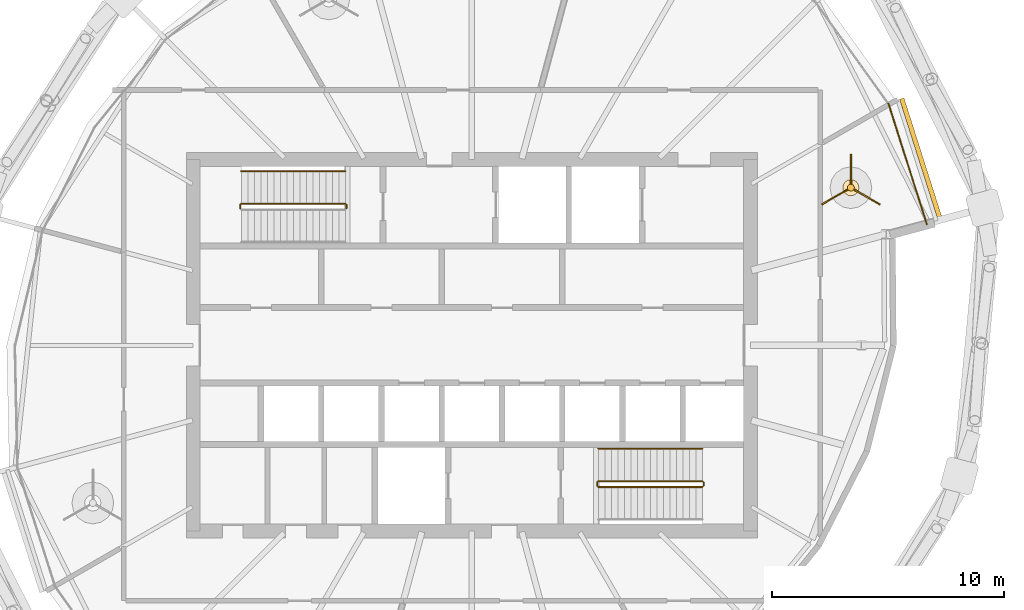
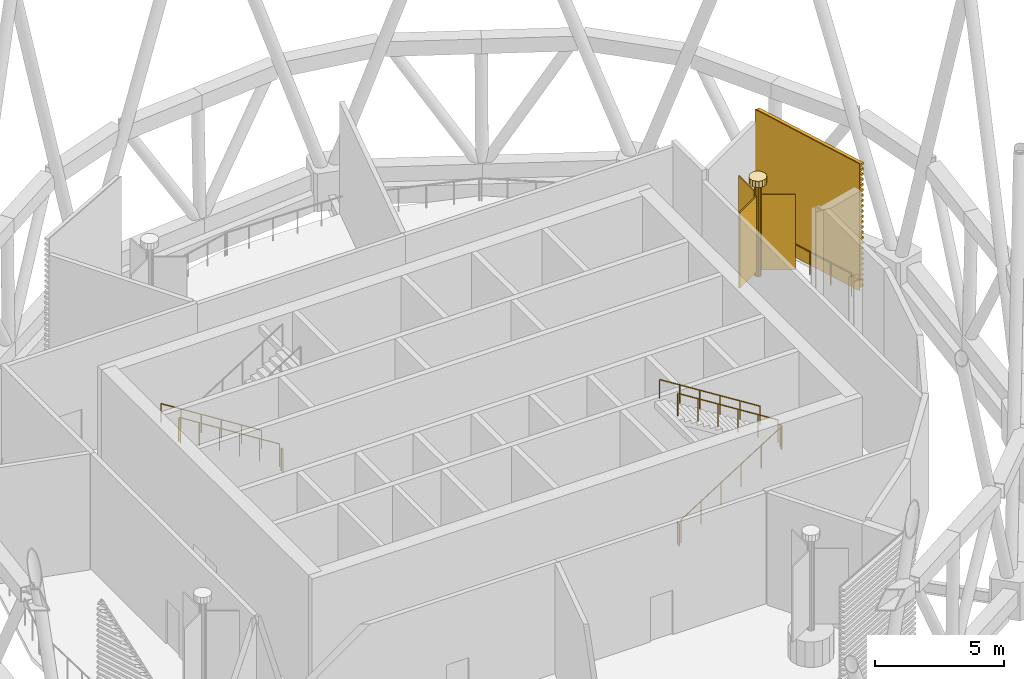
# One storey, part 20 of 22: 10 railings, 5 coverings, 1 shading device.
"""IFC4 building model written with IfcOpenShell, lengths in metres."""

from ifc_helpers import new_model, si_unit, direction, frame, origin, origin_2d, place, context, subcontext, project, spatial, polyline, circle, outline, extrude, material, material_profile, profile_set, type_object, element, save


model = new_model("IFC4")

# Units and contexts
model_context = context("Model", 3, precision=1e-05, world=origin(), true_north=direction((0.0, 1.0)))
body_context = subcontext(model_context, "Body", "Model", "MODEL_VIEW")
ifc_project = project(units=[si_unit("LENGTHUNIT", "METRE"), si_unit("AREAUNIT", "SQUARE_METRE"), si_unit("VOLUMEUNIT", "CUBIC_METRE"), si_unit("PLANEANGLEUNIT", "RADIAN"), si_unit("MASSUNIT", "GRAM", prefix="KILO")], contexts=[model_context])

# Site, building, storey
site_placement = place(None, origin())
site = spatial("IfcSite", under=ifc_project, at=site_placement, CompositionType="ELEMENT")
building_placement = place(site_placement, origin())
building = spatial("IfcBuilding", under=site, at=building_placement, Name="Rimbun Link Towers", CompositionType="ELEMENT")
storey_placement = place(building_placement, frame((0.0, 0.0, 204.5)))
storey = spatial("IfcBuildingStorey", under=building, at=storey_placement, Name="L50", CompositionType="ELEMENT", Elevation=204.5)

# Railing
ifc_material_1 = material(Name="Stainless steel grade 316", Category="steel")
railing_type_1 = type_object("IfcRailingType", Name="GUARD stainless rail and posts", PredefinedType="GUARDRAIL", material=ifc_material_1)
railing_1_placement = place(storey_placement, frame((49.69384765625, 10.411865234375, 0.0)))
element("IfcRailing", 1, at=railing_1_placement, inside=storey, type_object=railing_type_1, Name="GUARD slot edge", PredefinedType="GUARDRAIL", context=body_context, shape_type="SweptSolid", body=[
    extrude(circle(Radius=0.02392578125, at=origin_2d()), frame((0.0, 0.0, 1.076171875), z_axis=(0.303076418322, -0.952966255781, 0.0), x_axis=(0.952966255781, 0.303076418322, 0.0)), (0.0, 0.0, 1.0), 5.46484375),
    extrude(circle(Radius=0.02099609375, at=origin_2d()), origin(), (0.0, 0.0, 1.0), 1.052001953125),
    extrude(circle(Radius=0.02099609375, at=origin_2d()), frame((0.331298828125, -1.04150390625, 0.0)), (0.0, 0.0, 1.0), 1.052001953125),
    extrude(circle(Radius=0.02099609375, at=origin_2d()), frame((0.66259765625, -2.0830078125, 0.0)), (0.0, 0.0, 1.0), 1.052001953125),
    extrude(circle(Radius=0.02099609375, at=origin_2d()), frame((0.99365234375, -3.124755859375, 0.0)), (0.0, 0.0, 1.0), 1.052001953125),
    extrude(circle(Radius=0.02099609375, at=origin_2d()), frame((1.324951171875, -4.166259765625, 0.0)), (0.0, 0.0, 1.0), 1.052001953125),
    extrude(circle(Radius=0.02099609375, at=origin_2d()), frame((1.65625, -5.207763671875, 0.0)), (0.0, 0.0, 1.0), 1.052001953125),
])

# Shading device
ifc_material_2 = material(Name="Aluminium 6063-T6", Category="aluminium")
ifc_material_profile = material_profile(ifc_material_2, outline(polyline([(0.123046875, 0.0), (0.1630859375, 0.0), (0.1630859375, 0.10009765625), (0.363037109375, 0.10009765625), (0.363037109375, 0.199951171875), (0.1630859375, 0.199951171875), (0.1630859375, 0.35009765625), (0.363037109375, 0.35009765625), (0.363037109375, 0.449951171875), (0.1630859375, 0.449951171875), (0.1630859375, 0.60009765625), (0.363037109375, 0.60009765625), (0.363037109375, 0.699951171875), (0.1630859375, 0.699951171875), (0.1630859375, 0.85009765625), (0.363037109375, 0.85009765625), (0.363037109375, 0.949951171875), (0.1630859375, 0.949951171875), (0.1630859375, 1.10009765625), (0.363037109375, 1.10009765625), (0.363037109375, 1.199951171875), (0.1630859375, 1.199951171875), (0.1630859375, 1.35009765625), (0.363037109375, 1.35009765625), (0.363037109375, 1.449951171875), (0.1630859375, 1.449951171875), (0.1630859375, 1.60009765625), (0.363037109375, 1.60009765625), (0.363037109375, 1.699951171875), (0.1630859375, 1.699951171875), (0.1630859375, 1.85009765625), (0.363037109375, 1.85009765625), (0.363037109375, 1.949951171875), (0.1630859375, 1.949951171875), (0.1630859375, 2.10009765625), (0.363037109375, 2.10009765625), (0.363037109375, 2.199951171875), (0.1630859375, 2.199951171875), (0.1630859375, 2.35009765625), (0.363037109375, 2.35009765625), (0.363037109375, 2.449951171875), (0.1630859375, 2.449951171875), (0.1630859375, 2.60009765625), (0.363037109375, 2.60009765625), (0.363037109375, 2.699951171875), (0.1630859375, 2.699951171875), (0.1630859375, 2.85009765625), (0.363037109375, 2.85009765625), (0.363037109375, 2.949951171875), (0.1630859375, 2.949951171875), (0.1630859375, 3.10009765625), (0.363037109375, 3.10009765625), (0.363037109375, 3.199951171875), (0.1630859375, 3.199951171875), (0.1630859375, 3.35009765625), (0.363037109375, 3.35009765625), (0.363037109375, 3.449951171875), (0.1630859375, 3.449951171875), (0.1630859375, 3.60009765625), (0.363037109375, 3.60009765625), (0.363037109375, 3.699951171875), (0.1630859375, 3.699951171875), (0.1630859375, 3.85009765625), (0.363037109375, 3.85009765625), (0.363037109375, 3.949951171875), (0.1630859375, 3.949951171875), (0.1630859375, 4.10009765625), (0.363037109375, 4.10009765625), (0.363037109375, 4.199951171875), (0.1630859375, 4.199951171875), (0.1630859375, 4.35009765625), (0.363037109375, 4.35009765625), (0.363037109375, 4.449951171875), (0.1630859375, 4.449951171875), (0.1630859375, 4.60009765625), (0.363037109375, 4.60009765625), (0.363037109375, 4.699951171875), (0.1630859375, 4.699951171875), (0.1630859375, 4.85009765625), (0.363037109375, 4.85009765625), (0.363037109375, 4.949951171875), (0.1630859375, 4.949951171875), (0.1630859375, 5.10009765625), (0.363037109375, 5.10009765625), (0.363037109375, 5.199951171875), (0.1630859375, 5.199951171875), (0.1630859375, 5.35009765625), (0.363037109375, 5.35009765625), (0.363037109375, 5.449951171875), (0.1630859375, 5.449951171875), (0.1630859375, 5.60009765625), (0.363037109375, 5.60009765625), (0.363037109375, 5.699951171875), (0.1630859375, 5.699951171875), (0.1630859375, 5.85009765625), (0.363037109375, 5.85009765625), (0.363037109375, 5.949951171875), (0.1630859375, 5.949951171875), (0.1630859375, 6.0), (0.123046875, 6.0), (0.123046875, 0.0)])), Name="LOUVRE BLADES 100X240")
ifc_profile_set = profile_set([ifc_material_profile], Name="Aluminium 6063-T6")
shading_device_type = type_object("IfcShadingDeviceType", Name="LOUVRE SLOT BLADES 100X240 H6000", PredefinedType="JALOUSIE", material=ifc_profile_set)
shading_device_placement = place(storey_placement, frame((50.01708984375, 10.54638671875, 0.0), z_axis=(0.303022944713, -0.952983260597, 0.0), x_axis=(0.952983260597, 0.303022944713, 0.0)))
element("IfcShadingDevice", 2, at=shading_device_placement, inside=storey, type_object=shading_device_type, Name="LOUVRE slot blades", PredefinedType="JALOUSIE", context=body_context, shape_type="SweptSolid", body=[
    extrude(outline(polyline([(0.123046875, 0.0), (0.1630859375, 0.0), (0.1630859375, 0.10009765625), (0.363037109375, 0.10009765625), (0.363037109375, 0.199951171875), (0.1630859375, 0.199951171875), (0.1630859375, 0.35009765625), (0.363037109375, 0.35009765625), (0.363037109375, 0.449951171875), (0.1630859375, 0.449951171875), (0.1630859375, 0.60009765625), (0.363037109375, 0.60009765625), (0.363037109375, 0.699951171875), (0.1630859375, 0.699951171875), (0.1630859375, 0.85009765625), (0.363037109375, 0.85009765625), (0.363037109375, 0.949951171875), (0.1630859375, 0.949951171875), (0.1630859375, 1.10009765625), (0.363037109375, 1.10009765625), (0.363037109375, 1.199951171875), (0.1630859375, 1.199951171875), (0.1630859375, 1.35009765625), (0.363037109375, 1.35009765625), (0.363037109375, 1.449951171875), (0.1630859375, 1.449951171875), (0.1630859375, 1.60009765625), (0.363037109375, 1.60009765625), (0.363037109375, 1.699951171875), (0.1630859375, 1.699951171875), (0.1630859375, 1.85009765625), (0.363037109375, 1.85009765625), (0.363037109375, 1.949951171875), (0.1630859375, 1.949951171875), (0.1630859375, 2.10009765625), (0.363037109375, 2.10009765625), (0.363037109375, 2.199951171875), (0.1630859375, 2.199951171875), (0.1630859375, 2.35009765625), (0.363037109375, 2.35009765625), (0.363037109375, 2.449951171875), (0.1630859375, 2.449951171875), (0.1630859375, 2.60009765625), (0.363037109375, 2.60009765625), (0.363037109375, 2.699951171875), (0.1630859375, 2.699951171875), (0.1630859375, 2.85009765625), (0.363037109375, 2.85009765625), (0.363037109375, 2.949951171875), (0.1630859375, 2.949951171875), (0.1630859375, 3.10009765625), (0.363037109375, 3.10009765625), (0.363037109375, 3.199951171875), (0.1630859375, 3.199951171875), (0.1630859375, 3.35009765625), (0.363037109375, 3.35009765625), (0.363037109375, 3.449951171875), (0.1630859375, 3.449951171875), (0.1630859375, 3.60009765625), (0.363037109375, 3.60009765625), (0.363037109375, 3.699951171875), (0.1630859375, 3.699951171875), (0.1630859375, 3.85009765625), (0.363037109375, 3.85009765625), (0.363037109375, 3.949951171875), (0.1630859375, 3.949951171875), (0.1630859375, 4.10009765625), (0.363037109375, 4.10009765625), (0.363037109375, 4.199951171875), (0.1630859375, 4.199951171875), (0.1630859375, 4.35009765625), (0.363037109375, 4.35009765625), (0.363037109375, 4.449951171875), (0.1630859375, 4.449951171875), (0.1630859375, 4.60009765625), (0.363037109375, 4.60009765625), (0.363037109375, 4.699951171875), (0.1630859375, 4.699951171875), (0.1630859375, 4.85009765625), (0.363037109375, 4.85009765625), (0.363037109375, 4.949951171875), (0.1630859375, 4.949951171875), (0.1630859375, 5.10009765625), (0.363037109375, 5.10009765625), (0.363037109375, 5.199951171875), (0.1630859375, 5.199951171875), (0.1630859375, 5.35009765625), (0.363037109375, 5.35009765625), (0.363037109375, 5.449951171875), (0.1630859375, 5.449951171875), (0.1630859375, 5.60009765625), (0.363037109375, 5.60009765625), (0.363037109375, 5.699951171875), (0.1630859375, 5.699951171875), (0.1630859375, 5.85009765625), (0.363037109375, 5.85009765625), (0.363037109375, 5.949951171875), (0.1630859375, 5.949951171875), (0.1630859375, 6.0), (0.123046875, 6.0), (0.123046875, 0.0)])), origin(), (0.0, 0.0, 1.0), 5.46484375),
])

# Railings
ifc_material_3 = material(Name="Stainless steel grade 316", Category="steel")
railing_type_2 = type_object("IfcRailingType", Name="Stair guard", PredefinedType="GUARDRAIL", material=ifc_material_3)
railing_2_placement = place(storey_placement, frame((26.300048828125, 6.10009765625, 0.176513671875)))
element("IfcRailing", 3, at=railing_2_placement, inside=storey, type_object=railing_type_2, Name="L50 ST3 stair guard 1", PredefinedType="GUARDRAIL", context=body_context, shape_type="SweptSolid", body=[
    extrude(circle(Radius=0.02392578125, at=origin_2d()), frame((0.0, 0.0, 1.076171875), z_axis=(-0.845997938375, 0.0, 0.533186166611), x_axis=(0.0, -1.0, 0.0)), (0.0, 0.0, 1.0), 5.29541015625),
    extrude(circle(Radius=0.02099609375, at=origin_2d()), origin(), (0.0, 0.0, 1.0), 1.052001953125),
    extrude(circle(Radius=0.02099609375, at=origin_2d()), frame((-0.89599609375, 0.0, 0.564697265625)), (0.0, 0.0, 1.0), 1.052001953125),
    extrude(circle(Radius=0.02099609375, at=origin_2d()), frame((-1.7919921875, 0.0, 1.12939453125)), (0.0, 0.0, 1.0), 1.052001953125),
    extrude(circle(Radius=0.02099609375, at=origin_2d()), frame((-2.68798828125, 0.0, 1.694091796875)), (0.0, 0.0, 1.0), 1.052001953125),
    extrude(circle(Radius=0.02099609375, at=origin_2d()), frame((-3.583984375, 0.0, 2.2587890625)), (0.0, 0.0, 1.0), 1.052001953125),
    extrude(circle(Radius=0.02099609375, at=origin_2d()), frame((-4.47998046875, 0.0, 2.823486328125)), (0.0, 0.0, 1.0), 1.052001953125),
])
for number, where, name in (
    (4, (21.77001953125, 6.050048828125, 3.0), "L50 ST3 stair guard 2"),
    (5, (26.35009765625, 6.050048828125, 0.0), "L50 ST3 stair guard 4"),
):
    element("IfcRailing", number, at=place(storey_placement, frame(where)), inside=storey, type_object=railing_type_2, Name=name, PredefinedType="GUARDRAIL", context=body_context, shape_type="SweptSolid", body=[
        extrude(circle(Radius=0.02392578125, at=origin_2d()), frame((0.0, 0.0, 1.076171875), z_axis=(0.0, -1.0, 0.0), x_axis=(1.0, 0.0, 0.0)), (0.0, 0.0, 1.0), 0.150146484375),
        extrude(circle(Radius=0.02099609375, at=origin_2d()), origin(), (0.0, 0.0, 1.0), 1.052001953125),
        extrude(circle(Radius=0.02099609375, at=origin_2d()), frame((0.0, -0.150146484375, 0.0)), (0.0, 0.0, 1.0), 1.052001953125),
    ])
railing_3_placement = place(storey_placement, frame((37.199951171875, -6.10009765625, 0.176513671875)))
element("IfcRailing", 6, at=railing_3_placement, inside=storey, type_object=railing_type_2, Name="L50 ST4 stair guard 1", PredefinedType="GUARDRAIL", context=body_context, shape_type="SweptSolid", body=[
    extrude(circle(Radius=0.02392578125, at=origin_2d()), frame((0.0, 0.0, 1.076171875), z_axis=(0.845997938375, 0.0, 0.533186166611), x_axis=(0.0, 1.0, 0.0)), (0.0, 0.0, 1.0), 5.29541015625),
    extrude(circle(Radius=0.02099609375, at=origin_2d()), origin(), (0.0, 0.0, 1.0), 1.052001953125),
    extrude(circle(Radius=0.02099609375, at=origin_2d()), frame((0.89599609375, 0.0, 0.564697265625)), (0.0, 0.0, 1.0), 1.052001953125),
    extrude(circle(Radius=0.02099609375, at=origin_2d()), frame((1.7919921875, 0.0, 1.12939453125)), (0.0, 0.0, 1.0), 1.052001953125),
    extrude(circle(Radius=0.02099609375, at=origin_2d()), frame((2.68798828125, 0.0, 1.694091796875)), (0.0, 0.0, 1.0), 1.052001953125),
    extrude(circle(Radius=0.02099609375, at=origin_2d()), frame((3.583984375, 0.0, 2.2587890625)), (0.0, 0.0, 1.0), 1.052001953125),
    extrude(circle(Radius=0.02099609375, at=origin_2d()), frame((4.47998046875, 0.0, 2.823486328125)), (0.0, 0.0, 1.0), 1.052001953125),
])
railing_4_placement = place(storey_placement, frame((41.72998046875, -6.050048828125, 3.0)))
element("IfcRailing", 7, at=railing_4_placement, inside=storey, type_object=railing_type_2, Name="L50 ST4 stair guard 2", PredefinedType="GUARDRAIL", context=body_context, shape_type="SweptSolid", body=[
    extrude(circle(Radius=0.02392578125, at=origin_2d()), frame((0.0, 0.0, 1.076171875), z_axis=(0.0, 1.0, 0.0), x_axis=(-1.0, 0.0, 0.0)), (0.0, 0.0, 1.0), 0.150146484375),
    extrude(circle(Radius=0.02099609375, at=origin_2d()), origin(), (0.0, 0.0, 1.0), 1.052001953125),
    extrude(circle(Radius=0.02099609375, at=origin_2d()), frame((0.0, 0.150146484375, 0.0)), (0.0, 0.0, 1.0), 1.052001953125),
])
railing_5_placement = place(storey_placement, frame((41.679931640625, -5.85009765625, 3.176513671875)))
element("IfcRailing", 8, at=railing_5_placement, inside=storey, type_object=railing_type_2, Name="L50 ST4 stair guard 3", PredefinedType="GUARDRAIL", context=body_context, shape_type="SweptSolid", body=[
    extrude(circle(Radius=0.02392578125, at=origin_2d()), frame((0.0, 0.0, 1.076171875), z_axis=(-0.845997938375, 0.0, 0.533186166611), x_axis=(0.0, -1.0, 0.0)), (0.0, 0.0, 1.0), 5.29541015625),
    extrude(circle(Radius=0.02099609375, at=origin_2d()), origin(), (0.0, 0.0, 1.0), 1.052001953125),
    extrude(circle(Radius=0.02099609375, at=origin_2d()), frame((-0.89599609375, 0.0, 0.564697265625)), (0.0, 0.0, 1.0), 1.052001953125),
    extrude(circle(Radius=0.02099609375, at=origin_2d()), frame((-1.7919921875, 0.0, 1.12939453125)), (0.0, 0.0, 1.0), 1.052001953125),
    extrude(circle(Radius=0.02099609375, at=origin_2d()), frame((-2.68798828125, 0.0, 1.694091796875)), (0.0, 0.0, 1.0), 1.052001953125),
    extrude(circle(Radius=0.02099609375, at=origin_2d()), frame((-3.583984375, 0.0, 2.2587890625)), (0.0, 0.0, 1.0), 1.052001953125),
    extrude(circle(Radius=0.02099609375, at=origin_2d()), frame((-4.47998046875, 0.0, 2.823486328125)), (0.0, 0.0, 1.0), 1.052001953125),
])
railing_6_placement = place(storey_placement, frame((37.14990234375, -6.050048828125, 0.0)))
element("IfcRailing", 9, at=railing_6_placement, inside=storey, type_object=railing_type_2, Name="L50 ST4 stair guard 4", PredefinedType="GUARDRAIL", context=body_context, shape_type="SweptSolid", body=[
    extrude(circle(Radius=0.02392578125, at=origin_2d()), frame((0.0, 0.0, 1.076171875), z_axis=(0.0, 1.0, 0.0), x_axis=(-1.0, 0.0, 0.0)), (0.0, 0.0, 1.0), 0.150146484375),
    extrude(circle(Radius=0.02099609375, at=origin_2d()), origin(), (0.0, 0.0, 1.0), 1.052001953125),
    extrude(circle(Radius=0.02099609375, at=origin_2d()), frame((0.0, 0.150146484375, 0.0)), (0.0, 0.0, 1.0), 1.052001953125),
])
ifc_material_4 = material(Name="Stainless steel grade 316", Category="steel")
railing_type_3 = type_object("IfcRailingType", Name="Stair handrail", PredefinedType="HANDRAIL", material=ifc_material_4)
for number, where, name in (
    (10, (26.300048828125, 7.5, 0.176513671875), "L50 ST3 stair handrail 1"),
    (11, (41.679931640625, -4.449951171875, 3.176513671875), "L50 ST4 stair handrail 2"),
):
    element("IfcRailing", number, at=place(storey_placement, frame(where)), inside=storey, type_object=railing_type_3, Name=name, PredefinedType="HANDRAIL", context=body_context, shape_type="SweptSolid", body=[
        extrude(circle(Radius=0.02392578125, at=origin_2d()), frame((0.0, 0.0, 0.8759765625), z_axis=(-0.845997938375, 0.0, 0.533186166611), x_axis=(0.0, -1.0, 0.0)), (0.0, 0.0, 1.0), 5.29541015625),
        extrude(circle(Radius=0.02099609375, at=origin_2d()), origin(), (0.0, 0.0, 1.0), 0.851806640625),
        extrude(circle(Radius=0.02099609375, at=origin_2d()), frame((-0.89599609375, 0.0, 0.564697265625)), (0.0, 0.0, 1.0), 0.851806640625),
        extrude(circle(Radius=0.02099609375, at=origin_2d()), frame((-1.7919921875, 0.0, 1.12939453125)), (0.0, 0.0, 1.0), 0.851806640625),
        extrude(circle(Radius=0.02099609375, at=origin_2d()), frame((-2.68798828125, 0.0, 1.694091796875)), (0.0, 0.0, 1.0), 0.851806640625),
        extrude(circle(Radius=0.02099609375, at=origin_2d()), frame((-3.583984375, 0.0, 2.2587890625)), (0.0, 0.0, 1.0), 0.851806640625),
        extrude(circle(Radius=0.02099609375, at=origin_2d()), frame((-4.47998046875, 0.0, 2.823486328125)), (0.0, 0.0, 1.0), 0.851806640625),
    ])

# Coverings
ifc_material_5 = material(Name="Stainless steel grade 316", Category="steel")
covering_type_1 = type_object("IfcCoveringType", Name="WIND TURBINE bearing collar 700X300", PredefinedType="CLADDING", material=ifc_material_5)
covering_1_placement = place(storey_placement, frame((0.0, 0.0, 5.56005859375)))
element("IfcCovering", 12, at=covering_1_placement, inside=storey, type_object=covering_type_1, Name="WIND TURBINE bearing collar", PredefinedType="CLADDING", context=body_context, shape_type="SweptSolid", body=[
    extrude(outline(polyline([(48.42529296875, 6.790283203125), (48.3984375, 6.92431640625), (48.322509765625, 7.037841796875), (48.208984375, 7.113525390625), (48.0751953125, 7.140380859375), (47.941162109375, 7.113525390625), (47.82763671875, 7.037841796875), (47.751708984375, 6.92431640625), (47.72509765625, 6.790283203125), (47.751708984375, 6.65625), (47.82763671875, 6.542724609375), (47.941162109375, 6.466796875), (48.0751953125, 6.440185546875), (48.208984375, 6.466796875), (48.322509765625, 6.542724609375), (48.3984375, 6.65625), (48.42529296875, 6.790283203125)])), origin(), (0.0, 0.0, 1.0), 0.300048828125),
])
ifc_material_6 = material(Name="Aluminium 6063-T6", Category="aluminium")
covering_type_2 = type_object("IfcCoveringType", Name="WIND TURBINE blade 1302X60X3560", PredefinedType="CLADDING", material=ifc_material_6)
covering_2_placement = place(storey_placement, frame((0.0, 0.0, 1.449951171875)))
element("IfcCovering", 13, at=covering_2_placement, inside=storey, type_object=covering_type_2, Name="WIND TURBINE blade", PredefinedType="CLADDING", context=body_context, shape_type="SweptSolid", body=[
    extrude(outline(polyline([(48.105224609375, 6.938232421875), (48.105224609375, 8.240234375), (48.045166015625, 8.240234375), (48.045166015625, 6.938232421875), (48.105224609375, 6.938232421875)])), origin(), (0.0, 0.0, 1.0), 3.56005859375),
])
covering_3_placement = place(storey_placement, frame((0.0, 0.0, 1.449951171875)))
element("IfcCovering", 14, at=covering_3_placement, inside=storey, type_object=covering_type_2, Name="WIND TURBINE blade", PredefinedType="CLADDING", context=body_context, shape_type="SweptSolid", body=[
    extrude(outline(polyline([(47.931884765625, 6.7421875), (46.804443359375, 6.09130859375), (46.83447265625, 6.039306640625), (47.9619140625, 6.690185546875), (47.931884765625, 6.7421875)])), origin(), (0.0, 0.0, 1.0), 3.56005859375),
])
covering_4_placement = place(storey_placement, frame((0.0, 0.0, 1.449951171875)))
element("IfcCovering", 15, at=covering_4_placement, inside=storey, type_object=covering_type_2, Name="WIND TURBINE blade", PredefinedType="CLADDING", context=body_context, shape_type="SweptSolid", body=[
    extrude(outline(polyline([(48.188232421875, 6.690185546875), (49.31591796875, 6.039306640625), (49.345947265625, 6.09130859375), (48.21826171875, 6.7421875), (48.188232421875, 6.690185546875)])), origin(), (0.0, 0.0, 1.0), 3.56005859375),
])
ifc_material_7 = material(Name="Stainless steel grade 316", Category="steel")
covering_type_3 = type_object("IfcCoveringType", Name="WIND TURBINE shaft 300X4360", PredefinedType="CLADDING", material=ifc_material_7)
covering_5_placement = place(storey_placement, frame((0.0, 0.0, 1.199951171875)))
element("IfcCovering", 16, at=covering_5_placement, inside=storey, type_object=covering_type_3, Name="WIND TURBINE shaft", PredefinedType="CLADDING", context=body_context, shape_type="SweptSolid", body=[
    extrude(outline(polyline([(48.22509765625, 6.790283203125), (48.213623046875, 6.84765625), (48.18115234375, 6.896240234375), (48.132568359375, 6.928955078125), (48.0751953125, 6.940185546875), (48.017822265625, 6.928955078125), (47.968994140625, 6.896240234375), (47.9365234375, 6.84765625), (47.92529296875, 6.790283203125), (47.9365234375, 6.73291015625), (47.968994140625, 6.68408203125), (48.017822265625, 6.651611328125), (48.0751953125, 6.640380859375), (48.132568359375, 6.651611328125), (48.18115234375, 6.68408203125), (48.213623046875, 6.73291015625), (48.22509765625, 6.790283203125)])), origin(), (0.0, 0.0, 1.0), 4.360107421875),
])

save(model, "model.ifc")
